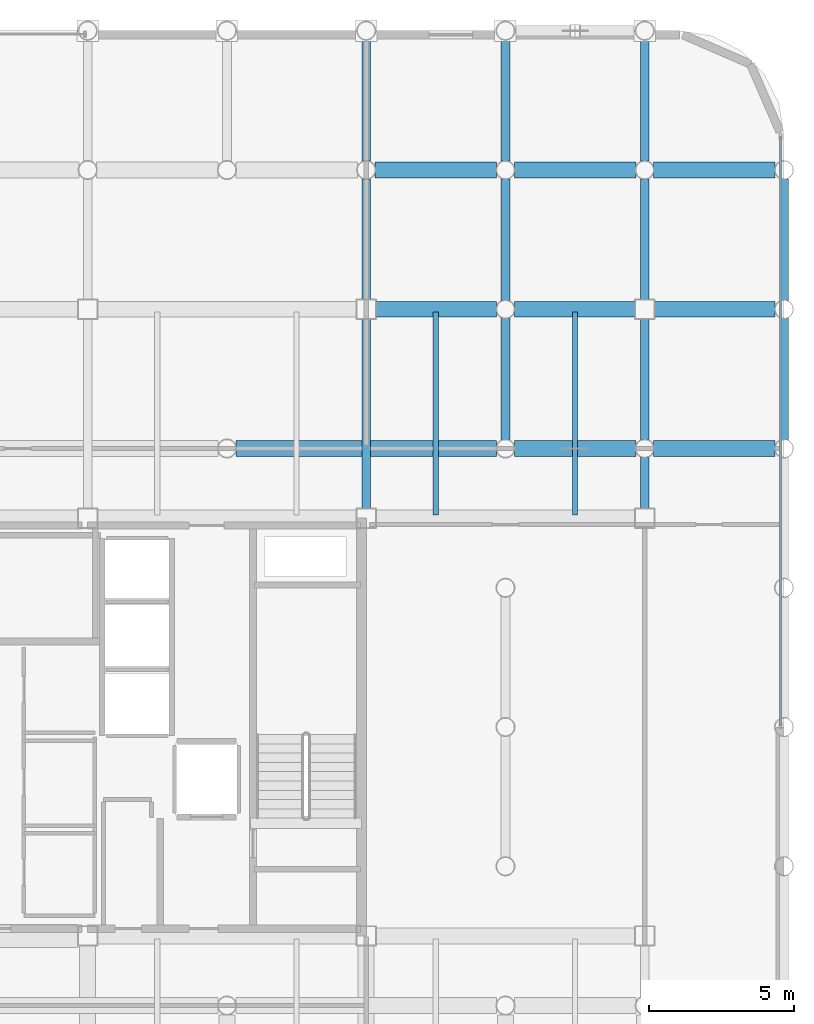
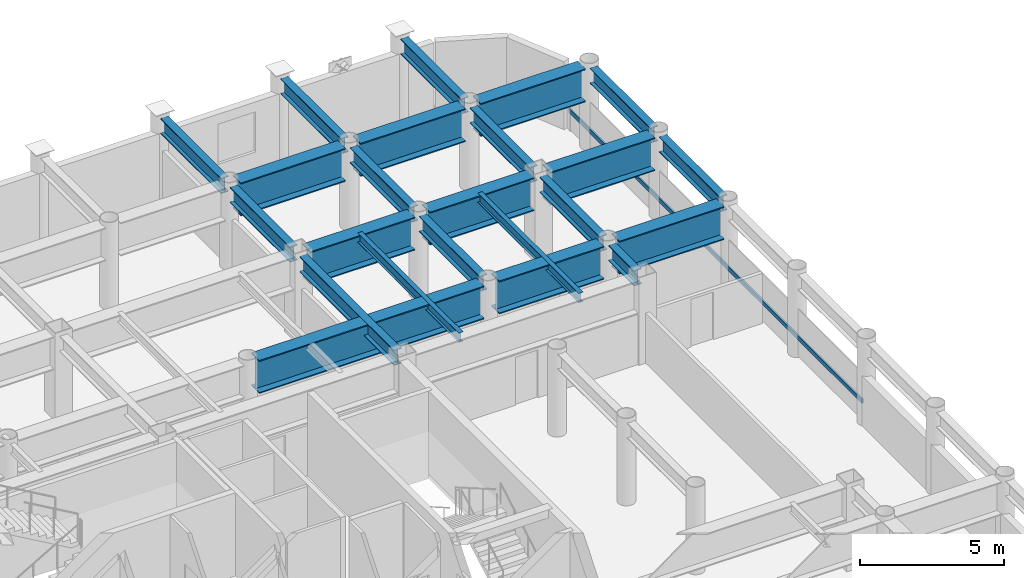
# One storey, part 17 of 24: 23 beams, 1 member, 1 element without a shape of its own.
"""IFC4 building model written with IfcOpenShell, lengths in metres."""

from ifc_helpers import new_model, si_unit, direction, frame, origin, origin_2d, place, context, subcontext, project, spatial, hollow_rectangle, i_section, extrude, material, layer, layer_set, material_profile, profile_set, type_object, element, aggregate, save


model = new_model("IFC4")

# Units and contexts
model_context = context("Model", 3, precision=1e-05, world=origin(), true_north=direction((0.0, 1.0)))
body_context = subcontext(model_context, "Body", "Model", "MODEL_VIEW")
ifc_project = project(units=[si_unit("LENGTHUNIT", "METRE"), si_unit("AREAUNIT", "SQUARE_METRE"), si_unit("VOLUMEUNIT", "CUBIC_METRE"), si_unit("PLANEANGLEUNIT", "RADIAN"), si_unit("MASSUNIT", "GRAM", prefix="KILO")], contexts=[model_context])

# Site, building, storey
site_placement = place(None, origin())
site = spatial("IfcSite", under=ifc_project, at=site_placement, CompositionType="ELEMENT")
building_placement = place(site_placement, origin())
building = spatial("IfcBuilding", under=site, at=building_placement, Name="Kallvorn Hotel Tower", CompositionType="ELEMENT")
storey_placement = place(building_placement, frame((0.0, 0.0, 150.699951171875)))
storey = spatial("IfcBuildingStorey", under=building, at=storey_placement, Name="L37", CompositionType="ELEMENT", Elevation=150.699951171875)

# Beams
ifc_material_1 = material(Name="Structural steel S355JR", Category="steel")
ifc_material_profile_1 = material_profile(ifc_material_1, i_section(OverallWidth=0.300048828125, OverallDepth=0.64990234375, WebThickness=0.01611328125, FlangeThickness=0.031005859375, at=origin_2d()), Name="HE 650 B")
ifc_profile_set_1 = profile_set([ifc_material_profile_1], Name="Structural steel S355JR")
beam_type_1 = type_object("IfcBeamType", Name="BM_HE650B", PredefinedType="BEAM", material=ifc_profile_set_1)
beam_1_placement = place(storey_placement, frame((14.39990234375, 7.52490234375, 3.195068359375), z_axis=(0.0, 1.0, 0.0), x_axis=(-1.0, 0.0, 0.0)))
element("IfcBeam", 1, at=beam_1_placement, inside=storey, type_object=beam_type_1, Name="L38 Primary Y-Girder 137", PredefinedType="BEAM", context=body_context, shape_type="SweptSolid", body=[
    extrude(i_section(OverallWidth=0.300048828125, OverallDepth=0.64990234375, WebThickness=0.01611328125, FlangeThickness=0.031005859375, at=origin_2d()), origin(), (0.0, 0.0, 1.0), 6.550048828125),
])
beam_2_placement = place(storey_placement, frame((14.39990234375, 14.72509765625, 3.195068359375), z_axis=(0.0, 1.0, 0.0), x_axis=(-1.0, 0.0, 0.0)))
element("IfcBeam", 2, at=beam_2_placement, inside=storey, type_object=beam_type_1, Name="L38 Primary Y-Girder 138", PredefinedType="BEAM", context=body_context, shape_type="SweptSolid", body=[
    extrude(i_section(OverallWidth=0.300048828125, OverallDepth=0.64990234375, WebThickness=0.01611328125, FlangeThickness=0.031005859375, at=origin_2d()), origin(), (0.0, 0.0, 1.0), 4.169921875),
])
beam_3_placement = place(storey_placement, frame((14.39990234375, 19.5048828125, 3.195068359375), z_axis=(0.0, 1.0, 0.0), x_axis=(-1.0, 0.0, 0.0)))
element("IfcBeam", 3, at=beam_3_placement, inside=storey, type_object=beam_type_1, Name="L38 Primary Y-Girder 139", PredefinedType="BEAM", context=body_context, shape_type="SweptSolid", body=[
    extrude(i_section(OverallWidth=0.300048828125, OverallDepth=0.64990234375, WebThickness=0.01611328125, FlangeThickness=0.031005859375, at=origin_2d()), origin(), (0.0, 0.0, 1.0), 4.190185546875),
])
for number, where, z_axis, x_axis, name in (
    (4, (19.199951171875, 9.905029296875, 3.195068359375), (0.0, 1.0, 0.0), (-1.0, 0.0, 0.0), "L38 Primary Y-Girder 146"),
    (5, (19.199951171875, 14.705078125, 3.195068359375), (0.0, 1.0, 0.0), (-1.0, 0.0, 0.0), "L38 Primary Y-Girder 147"),
):
    element("IfcBeam", number, at=place(storey_placement, frame(where, z_axis=z_axis, x_axis=x_axis)), inside=storey, type_object=beam_type_1, Name=name, PredefinedType="BEAM", context=body_context, shape_type="SweptSolid", body=[
        extrude(i_section(OverallWidth=0.300048828125, OverallDepth=0.64990234375, WebThickness=0.01611328125, FlangeThickness=0.031005859375, at=origin_2d()), origin(), (0.0, 0.0, 1.0), 4.18994140625),
    ])
beam_4_placement = place(storey_placement, frame((19.199951171875, 19.5048828125, 3.195068359375), z_axis=(0.0, 1.0, 0.0), x_axis=(-1.0, 0.0, 0.0)))
element("IfcBeam", 6, at=beam_4_placement, inside=storey, type_object=beam_type_1, Name="L38 Primary Y-Girder 148", PredefinedType="BEAM", context=body_context, shape_type="SweptSolid", body=[
    extrude(i_section(OverallWidth=0.300048828125, OverallDepth=0.64990234375, WebThickness=0.01611328125, FlangeThickness=0.031005859375, at=origin_2d()), origin(), (0.0, 0.0, 1.0), 4.190185546875),
])
beam_5_placement = place(storey_placement, frame((24.0, 7.52490234375, 3.195068359375), z_axis=(0.0, 1.0, 0.0), x_axis=(-1.0, 0.0, 0.0)))
element("IfcBeam", 7, at=beam_5_placement, inside=storey, type_object=beam_type_1, Name="L38 Primary Y-Girder 152", PredefinedType="BEAM", context=body_context, shape_type="SweptSolid", body=[
    extrude(i_section(OverallWidth=0.300048828125, OverallDepth=0.64990234375, WebThickness=0.01611328125, FlangeThickness=0.031005859375, at=origin_2d()), origin(), (0.0, 0.0, 1.0), 1.77001953125),
])
for number, where, z_axis, x_axis, name in (
    (8, (24.0, 9.905029296875, 3.195068359375), (0.0, 1.0, 0.0), (-1.0, 0.0, 0.0), "L38 Primary Y-Girder 153"),
    (9, (24.0, 14.72509765625, 3.195068359375), (0.0, 1.0, 0.0), (-1.0, 0.0, 0.0), "L38 Primary Y-Girder 154"),
):
    element("IfcBeam", number, at=place(storey_placement, frame(where, z_axis=z_axis, x_axis=x_axis)), inside=storey, type_object=beam_type_1, Name=name, PredefinedType="BEAM", context=body_context, shape_type="SweptSolid", body=[
        extrude(i_section(OverallWidth=0.300048828125, OverallDepth=0.64990234375, WebThickness=0.01611328125, FlangeThickness=0.031005859375, at=origin_2d()), origin(), (0.0, 0.0, 1.0), 4.169921875),
    ])
beam_6_placement = place(storey_placement, frame((24.0, 19.5048828125, 3.195068359375), z_axis=(0.0, 1.0, 0.0), x_axis=(-1.0, 0.0, 0.0)))
element("IfcBeam", 10, at=beam_6_placement, inside=storey, type_object=beam_type_1, Name="L38 Primary Y-Girder 155", PredefinedType="BEAM", context=body_context, shape_type="SweptSolid", body=[
    extrude(i_section(OverallWidth=0.300048828125, OverallDepth=0.64990234375, WebThickness=0.01611328125, FlangeThickness=0.031005859375, at=origin_2d()), origin(), (0.0, 0.0, 1.0), 4.190185546875),
])
for number, where, z_axis, x_axis, name in (
    (11, (28.800048828125, 9.905029296875, 3.195068359375), (0.0, 1.0, 0.0), (-1.0, 0.0, 0.0), "L38 Primary Y-Girder 162"),
    (12, (28.800048828125, 14.705078125, 3.195068359375), (0.0, 1.0, 0.0), (-1.0, 0.0, 0.0), "L38 Primary Y-Girder 163"),
):
    element("IfcBeam", number, at=place(storey_placement, frame(where, z_axis=z_axis, x_axis=x_axis)), inside=storey, type_object=beam_type_1, Name=name, PredefinedType="BEAM", context=body_context, shape_type="SweptSolid", body=[
        extrude(i_section(OverallWidth=0.300048828125, OverallDepth=0.64990234375, WebThickness=0.01611328125, FlangeThickness=0.031005859375, at=origin_2d()), origin(), (0.0, 0.0, 1.0), 4.18994140625),
    ])
ifc_material_2 = material(Name="Structural steel S355JR", Category="steel")
ifc_material_profile_2 = material_profile(ifc_material_2, i_section(OverallWidth=0.179931640625, OverallDepth=0.39990234375, WebThickness=0.008544921875, FlangeThickness=0.013427734375, at=origin_2d()), Name="IPE 400")
ifc_profile_set_2 = profile_set([ifc_material_profile_2], Name="Structural steel S355JR")
beam_type_2 = type_object("IfcBeamType", Name="BM_IPE400", PredefinedType="JOIST", material=ifc_profile_set_2)
for number, where, z_axis, x_axis, name in (
    (13, (16.800048828125, 7.300048828125, 3.320068359375), (0.0, 1.0, 0.0), (-1.0, 0.0, 0.0), "L38 Secondary Composite Joist 220"),
    (14, (21.60009765625, 7.300048828125, 3.320068359375), (0.0, 1.0, 0.0), (-1.0, 0.0, 0.0), "L38 Secondary Composite Joist 222"),
):
    element("IfcBeam", number, at=place(storey_placement, frame(where, z_axis=z_axis, x_axis=x_axis)), inside=storey, type_object=beam_type_2, Name=name, PredefinedType="JOIST", context=body_context, shape_type="SweptSolid", body=[
        extrude(i_section(OverallWidth=0.179931640625, OverallDepth=0.39990234375, WebThickness=0.008544921875, FlangeThickness=0.013427734375, at=origin_2d()), origin(), (0.0, 0.0, 1.0), 7.0),
    ])
ifc_material_3 = material(Name="Structural steel S355JR", Category="steel")
ifc_material_profile_3 = material_profile(ifc_material_3, i_section(OverallWidth=0.550048828125, OverallDepth=1.39990234375, WebThickness=0.02490234375, FlangeThickness=0.044921875, at=origin_2d()), Name="PG 1400x550x25x45")
ifc_profile_set_3 = profile_set([ifc_material_profile_3], Name="Structural steel S355JR")
beam_type_3 = type_object("IfcBeamType", Name="BM_PG_1400", PredefinedType="BEAM", material=ifc_profile_set_3)
beam_7_placement = place(storey_placement, frame((9.905029296875, 9.60009765625, 2.820068359375), z_axis=(1.0, 0.0, 0.0), x_axis=(0.0, 1.0, 0.0)))
element("IfcBeam", 15, at=beam_7_placement, inside=storey, type_object=beam_type_3, Name="L38 Primary X-Girder 60", PredefinedType="BEAM", context=body_context, shape_type="SweptSolid", body=[
    extrude(i_section(OverallWidth=0.550048828125, OverallDepth=1.39990234375, WebThickness=0.02490234375, FlangeThickness=0.044921875, at=origin_2d()), origin(), (0.0, 0.0, 1.0), 8.989990234375),
])
for number, where, z_axis, x_axis, name in (
    (16, (19.5048828125, 9.60009765625, 2.820068359375), (1.0, 0.0, 0.0), (0.0, 1.0, 0.0), "L38 Primary X-Girder 61"),
    (17, (24.304931640625, 9.60009765625, 2.820068359375), (1.0, 0.0, 0.0), (0.0, 1.0, 0.0), "L38 Primary X-Girder 62"),
):
    element("IfcBeam", number, at=place(storey_placement, frame(where, z_axis=z_axis, x_axis=x_axis)), inside=storey, type_object=beam_type_3, Name=name, PredefinedType="BEAM", context=body_context, shape_type="SweptSolid", body=[
        extrude(i_section(OverallWidth=0.550048828125, OverallDepth=1.39990234375, WebThickness=0.02490234375, FlangeThickness=0.044921875, at=origin_2d()), origin(), (0.0, 0.0, 1.0), 4.190185546875),
    ])
beam_8_placement = place(storey_placement, frame((14.72509765625, 14.39990234375, 2.820068359375), z_axis=(1.0, 0.0, 0.0), x_axis=(0.0, 1.0, 0.0)))
element("IfcBeam", 18, at=beam_8_placement, inside=storey, type_object=beam_type_3, Name="L38 Primary X-Girder 70", PredefinedType="BEAM", context=body_context, shape_type="SweptSolid", body=[
    extrude(i_section(OverallWidth=0.550048828125, OverallDepth=1.39990234375, WebThickness=0.02490234375, FlangeThickness=0.044921875, at=origin_2d()), origin(), (0.0, 0.0, 1.0), 4.169921875),
])
for number, where, z_axis, x_axis, name in (
    (19, (19.5048828125, 14.39990234375, 2.820068359375), (1.0, 0.0, 0.0), (0.0, 1.0, 0.0), "L38 Primary X-Girder 71"),
    (20, (24.324951171875, 14.39990234375, 2.820068359375), (1.0, 0.0, 0.0), (0.0, 1.0, 0.0), "L38 Primary X-Girder 72"),
):
    element("IfcBeam", number, at=place(storey_placement, frame(where, z_axis=z_axis, x_axis=x_axis)), inside=storey, type_object=beam_type_3, Name=name, PredefinedType="BEAM", context=body_context, shape_type="SweptSolid", body=[
        extrude(i_section(OverallWidth=0.550048828125, OverallDepth=1.39990234375, WebThickness=0.02490234375, FlangeThickness=0.044921875, at=origin_2d()), origin(), (0.0, 0.0, 1.0), 4.170166015625),
    ])
beam_9_placement = place(storey_placement, frame((14.705078125, 19.199951171875, 2.820068359375), z_axis=(1.0, 0.0, 0.0), x_axis=(0.0, 1.0, 0.0)))
element("IfcBeam", 21, at=beam_9_placement, inside=storey, type_object=beam_type_3, Name="L38 Primary X-Girder 83", PredefinedType="BEAM", context=body_context, shape_type="SweptSolid", body=[
    extrude(i_section(OverallWidth=0.550048828125, OverallDepth=1.39990234375, WebThickness=0.02490234375, FlangeThickness=0.044921875, at=origin_2d()), origin(), (0.0, 0.0, 1.0), 4.18994140625),
])
for number, where, z_axis, x_axis, name in (
    (22, (19.5048828125, 19.199951171875, 2.820068359375), (1.0, 0.0, 0.0), (0.0, 1.0, 0.0), "L38 Primary X-Girder 84"),
    (23, (24.304931640625, 19.199951171875, 2.820068359375), (1.0, 0.0, 0.0), (0.0, 1.0, 0.0), "L38 Primary X-Girder 85"),
):
    element("IfcBeam", number, at=place(storey_placement, frame(where, z_axis=z_axis, x_axis=x_axis)), inside=storey, type_object=beam_type_3, Name=name, PredefinedType="BEAM", context=body_context, shape_type="SweptSolid", body=[
        extrude(i_section(OverallWidth=0.550048828125, OverallDepth=1.39990234375, WebThickness=0.02490234375, FlangeThickness=0.044921875, at=origin_2d()), origin(), (0.0, 0.0, 1.0), 4.190185546875),
    ])

# Curtain wall, member
ifc_material_4 = material(Name="Thermally broken black-anodised aluminium AA 6063-T6", Category="aluminium")
ifc_layer = layer(ifc_material_4, 0.2099609375)
ifc_layer_set = layer_set([ifc_layer], Name="CW_SYS_4_HOTEL_MID")
curtain_wall_type = type_object("IfcCurtainWallType", Name="CW_SYS_4_HOTEL_MID", PredefinedType="USERDEFINED", material=ifc_layer_set)
curtain_wall_placement = place(storey_placement, origin())
curtain_wall = element("IfcCurtainWall", 24, at=curtain_wall_placement, inside=storey, type_object=curtain_wall_type, Name="L37 Dark-Glass Curtain Wall CW-L37-EN", ObjectType="UNITISED CURTAIN WALL", PredefinedType="USERDEFINED")
ifc_material_5 = material(Name="Thermally broken black-anodised aluminium AA 6063-T6", Category="aluminium")
ifc_material_profile_4 = material_profile(ifc_material_5, hollow_rectangle(XDim=0.070068359375, YDim=0.179931640625, WallThickness=0.00390625, at=origin_2d()), Name="TRN 180x70")
ifc_profile_set_4 = profile_set([ifc_material_profile_4], Name="Thermally broken black-anodised aluminium AA 6063-T6")
member_type = type_object("IfcMemberType", Name="CW_TRANSOM_180x70", PredefinedType="USERDEFINED", material=ifc_profile_set_4)
member_placement = place(storey_placement, frame((28.679931640625, 0.06005859375, 0.85009765625), z_axis=(0.0, 1.0, 0.0), x_axis=(-1.0, 0.0, 0.0)))
member = element("IfcMember", 25, at=member_placement, type_object=member_type, Name="CW-L37-EN Transom 00M", ObjectType="TRANSOM", PredefinedType="USERDEFINED", context=body_context, shape_type="SweptSolid", body=[
    extrude(hollow_rectangle(XDim=0.070068359375, YDim=0.179931640625, WallThickness=0.00390625, at=origin_2d()), origin(), (0.0, 0.0, 1.0), 20.300048828125),
])
aggregate(curtain_wall, [member])

save(model, "model.ifc")
